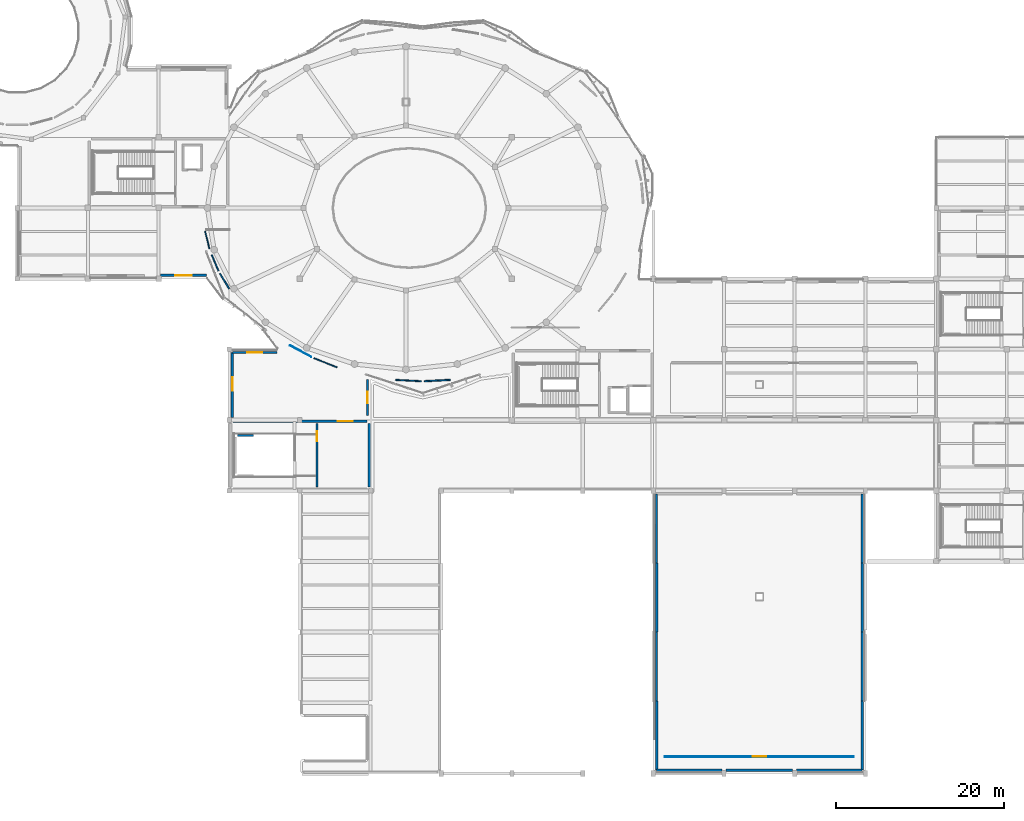
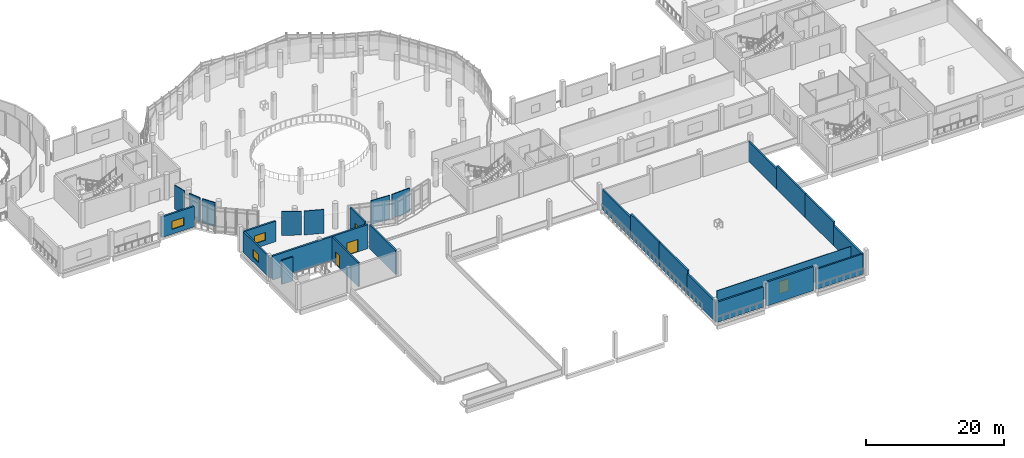
# One storey, part 27 of 46: 27 walls, 4 windows, 3 doors, 7 openings.
"""IFC4 building model written with IfcOpenShell, lengths in metres."""

from ifc_helpers import new_model, si_unit, derived_unit, direction, frame, frame_2d, origin, place, context, subcontext, project, spatial, rectangle, extrude, material, layer, layer_set, type_object, element, fill, save


model = new_model("IFC4")

# Units and contexts
model_context = context("Model", 3, precision=1e-05, world=origin(), true_north=direction((0.0, 1.0)))
body_context = subcontext(model_context, "Body", "Model", "MODEL_VIEW")
ifc_project = project(units=[si_unit("LENGTHUNIT", "METRE"), si_unit("AREAUNIT", "SQUARE_METRE"), si_unit("VOLUMEUNIT", "CUBIC_METRE"), si_unit("PLANEANGLEUNIT", "RADIAN"), si_unit("MASSUNIT", "GRAM", prefix="KILO"), derived_unit("THERMALTRANSMITTANCEUNIT", [(si_unit("POWERUNIT", "WATT"), 1), (si_unit("LENGTHUNIT", "METRE"), -2), (si_unit("THERMODYNAMICTEMPERATUREUNIT", "KELVIN"), -1)])], contexts=[model_context])

# Site, building, storey
site_placement = place(None, origin())
site = spatial("IfcSite", under=ifc_project, at=site_placement, CompositionType="ELEMENT")
building_placement = place(site_placement, origin())
building = spatial("IfcBuilding", under=site, at=building_placement, Name="Elbkamm Science Centre", CompositionType="ELEMENT")
storey_placement = place(building_placement, frame((0.0, 0.0, 9.89990234375)))
storey = spatial("IfcBuildingStorey", under=building, at=storey_placement, Name="L02", CompositionType="ELEMENT", Elevation=9.89990234375)

# Wall
ifc_material_1 = material(Name="Reinforced concrete C40/50", Category="concrete")
ifc_layer_1 = layer(ifc_material_1, 0.25)
ifc_layer_set_1 = layer_set([ifc_layer_1], Name="Reinforced concrete C40/50")
wall_type_1 = type_object("IfcWallType", Name="WL-CORE-250", PredefinedType="SHEAR", material=ifc_layer_set_1)
wall_1_placement = place(storey_placement, frame((42.989990234375, 40.179931640625, 0.0), z_axis=(0.0, 0.0, 1.0), x_axis=(1.0, 0.0, 0.0)))
element("IfcWall", 1, at=wall_1_placement, inside=storey, type_object=wall_type_1, Name="L02 ST-C5 Shaft Bearing Wall N", PredefinedType="SHEAR", context=body_context, shape_type="SweptSolid", body=[
    extrude(rectangle(XDim=1.889892578125, YDim=0.25, at=frame_2d((0.94482421875, 0.0))), origin(), (0.0, 0.0, 1.0), 4.22998046875),
])

# Wall, opening, door
wall_2_placement = place(storey_placement, frame((52.419921875, 34.02001953125, 0.0), z_axis=(0.0, 0.0, 1.0), x_axis=(0.0, 1.0, 0.0)))
wall_2 = element("IfcWall", 2, at=wall_2_placement, inside=storey, type_object=wall_type_1, Name="L02 C5 Stairwell Compartment Wall", PredefinedType="SHEAR", context=body_context, shape_type="SweptSolid", body=[
    extrude(rectangle(XDim=7.56005859375, YDim=0.25, at=frame_2d((3.780029296875, 0.0))), origin(), (0.0, 0.0, 1.0), 4.22998046875),
])
opening_1_placement = place(wall_2_placement, frame((5.4599609375, 0.0, 0.0)))
opening_1 = element("IfcOpeningElement", 3, at=opening_1_placement, cuts=wall_2, Name="Opening DC-02", PredefinedType="OPENING", context=body_context, shape_type="SweptSolid", body=[
    extrude(rectangle(XDim=1.199951171875, YDim=2.199951171875, at=frame_2d((0.60009765625, 1.10009765625))), frame((0.0, 0.136962890625, 0.0), z_axis=(0.0, -1.0, 0.0), x_axis=(1.0, 0.0, 0.0)), (0.0, 0.0, 1.0), 0.27392578125),
])
ifc_material_2 = material(Name="Fire-rated steel acoustic door", Category="steel")
ifc_layer_2 = layer(ifc_material_2, 0.050048828125)
ifc_layer_set_2 = layer_set([ifc_layer_2], Name="Fire-rated steel acoustic door")
door_type_1 = type_object("IfcDoorType", Name="DR-CORE-1200x2200", OperationType="NOTDEFINED", PredefinedType="DOOR", material=ifc_layer_set_2)
door_1_placement = place(opening_1_placement, origin())
door_1 = element("IfcDoor", 4, at=door_1_placement, inside=storey, type_object=door_type_1, Name="L02 ST-C5 Stairwell Fire Door", OperationType="SINGLE_SWING_RIGHT", OverallHeight=2.199951171875, OverallWidth=1.199951171875, PredefinedType="DOOR", context=body_context, shape_type="SweptSolid", body=[
    extrude(rectangle(XDim=1.199951171875, YDim=2.199951171875, at=frame_2d((0.60009765625, 1.10009765625))), frame((0.0, 0.02490234375, 0.0), z_axis=(0.0, -1.0, 0.0), x_axis=(1.0, 0.0, 0.0)), (0.0, 0.0, 1.0), 0.050048828125),
])
fill(opening_1, door_1)

ifc_layer_3 = layer(ifc_material_1, 0.300048828125)
ifc_layer_set_3 = layer_set([ifc_layer_3], Name="Reinforced concrete C40/50")
wall_type_2 = type_object("IfcWallType", Name="WL-CORE-300", PredefinedType="SHEAR", material=ifc_layer_set_3)
wall_3_placement = place(storey_placement, frame((42.419921875, 41.85009765625, 0.0), z_axis=(0.0, 0.0, 1.0), x_axis=(1.0, 0.0, 0.0)))
wall_3 = element("IfcWall", 5, at=wall_3_placement, inside=storey, type_object=wall_type_2, Name="L02 Core C5 Southwest Plinth Assembly Egress Core Shear Wall N", PredefinedType="SHEAR", context=body_context, shape_type="SweptSolid", body=[
    extrude(rectangle(XDim=15.9599609375, YDim=0.300048828125, at=frame_2d((7.97998046875, 0.0))), origin(), (0.0, 0.0, 1.0), 4.22998046875),
])
opening_2_placement = place(wall_3_placement, frame((12.4599609375, 0.0, 0.0)))
opening_2 = element("IfcOpeningElement", 6, at=opening_2_placement, cuts=wall_3, Name="Opening DC-01", PredefinedType="OPENING", context=body_context, shape_type="SweptSolid", body=[
    extrude(rectangle(XDim=1.800048828125, YDim=2.199951171875, at=frame_2d((0.89990234375, 1.10009765625))), frame((0.0, 0.162109375, 0.0), z_axis=(0.0, -1.0, 0.0), x_axis=(1.0, 0.0, 0.0)), (0.0, 0.0, 1.0), 0.323974609375),
])
ifc_layer_4 = layer(ifc_material_2, 0.050048828125)
ifc_layer_set_4 = layer_set([ifc_layer_4], Name="Fire-rated steel acoustic door")
door_type_2 = type_object("IfcDoorType", Name="DR-CORE-1800x2200", OperationType="DOUBLE_DOOR_SINGLE_SWING", PredefinedType="DOOR", material=ifc_layer_set_4)
door_2_placement = place(opening_2_placement, origin())
door_2 = element("IfcDoor", 7, at=door_2_placement, inside=storey, type_object=door_type_2, Name="L02 C5 Core Lobby Fire Door", OperationType="DOUBLE_DOOR_SINGLE_SWING", OverallHeight=2.199951171875, OverallWidth=1.800048828125, PredefinedType="DOOR", context=body_context, shape_type="SweptSolid", body=[
    extrude(rectangle(XDim=1.800048828125, YDim=2.199951171875, at=frame_2d((0.89990234375, 1.10009765625))), frame((0.0, 0.02490234375, 0.0), z_axis=(0.0, -1.0, 0.0), x_axis=(1.0, 0.0, 0.0)), (0.0, 0.0, 1.0), 0.050048828125),
])
fill(opening_2, door_2)

# Wall
wall_4_placement = place(storey_placement, frame((58.64990234375, 34.02001953125, 0.0), z_axis=(0.0, 0.0, 1.0), x_axis=(0.0, 1.0, 0.0)))
element("IfcWall", 8, at=wall_4_placement, inside=storey, type_object=wall_type_2, Name="L02 Core C5 Southwest Plinth Assembly Egress Core Shear Wall E", PredefinedType="SHEAR", context=body_context, shape_type="SweptSolid", body=[
    extrude(rectangle(XDim=7.56005859375, YDim=0.300048828125, at=frame_2d((3.780029296875, 0.0))), origin(), (0.0, 0.0, 1.0), 4.22998046875),
])

# Wall, opening, window
ifc_material_3 = material(Name="White precast concrete C40/50", Category="concrete")
ifc_layer_5 = layer(ifc_material_3, 0.27001953125)
ifc_layer_set_5 = layer_set([ifc_layer_5], Name="White precast concrete C40/50")
wall_type_3 = type_object("IfcWallType", Name="WL-EXT-270", PredefinedType="SOLIDWALL", material=ifc_layer_set_5)
wall_5_placement = place(storey_placement, frame((58.419921875, 46.7880859375, 0.0), z_axis=(0.0, 0.0, 1.0), x_axis=(0.0, -1.0, 0.0)))
wall_5 = element("IfcWall", 9, at=wall_5_placement, inside=storey, type_object=wall_type_3, Name="L02 Exterior Wall 0247", PredefinedType="SOLIDWALL", context=body_context, shape_type="SweptSolid", body=[
    extrude(rectangle(XDim=4.238037109375, YDim=0.27001953125, at=frame_2d((2.119140625, 0.0))), origin(), (0.0, 0.0, 1.0), 4.22998046875),
])
opening_3_placement = place(wall_5_placement, frame((1.4189453125, 0.0, 0.85009765625)))
opening_3 = element("IfcOpeningElement", 10, at=opening_3_placement, cuts=wall_5, Name="Opening W-02", PredefinedType="OPENING", context=body_context, shape_type="SweptSolid", body=[
    extrude(rectangle(XDim=1.39990234375, YDim=1.39990234375, at=frame_2d((0.699951171875, 0.699951171875))), frame((0.0, 0.14697265625, 0.0), z_axis=(0.0, -1.0, 0.0), x_axis=(1.0, 0.0, 0.0)), (0.0, 0.0, 1.0), 0.2939453125),
])
ifc_material_4 = material(Name="Thermally broken aluminium and triple solar glass", Category="aluminium")
ifc_layer_6 = layer(ifc_material_4, 0.06005859375)
ifc_layer_set_6 = layer_set([ifc_layer_6], Name="Thermally broken aluminium and triple solar glass")
window_type_1 = type_object("IfcWindowType", Name="WIN-1400x1400", PartitioningType="SINGLE_PANEL", PredefinedType="WINDOW", material=ifc_layer_set_6)
window_1_placement = place(opening_3_placement, origin())
window_1 = element("IfcWindow", 11, at=window_1_placement, inside=storey, type_object=window_type_1, Name="L02 Facade Window 0061", OverallHeight=1.39990234375, OverallWidth=1.39990234375, PartitioningType="SINGLE_PANEL", PredefinedType="WINDOW", context=body_context, shape_type="SweptSolid", body=[
    extrude(rectangle(XDim=1.39990234375, YDim=1.39990234375, at=frame_2d((0.699951171875, 0.699951171875))), frame((0.0, 0.030029296875, 0.0), z_axis=(0.0, -1.0, 0.0), x_axis=(1.0, 0.0, 0.0)), (0.0, 0.0, 1.0), 0.06005859375),
])
fill(opening_3, window_1)

wall_6_placement = place(storey_placement, frame((42.3798828125, 50.02001953125, 0.0), z_axis=(0.0, 0.0, 1.0), x_axis=(1.0, 0.0, 0.0)))
wall_6 = element("IfcWall", 12, at=wall_6_placement, inside=storey, type_object=wall_type_3, Name="L02 Exterior Wall 0249", PredefinedType="SOLIDWALL", context=body_context, shape_type="SweptSolid", body=[
    extrude(rectangle(XDim=5.3076171875, YDim=0.27001953125, at=frame_2d((2.65380859375, 0.0))), origin(), (0.0, 0.0, 1.0), 3.630126953125),
])
opening_4_placement = place(wall_6_placement, frame((1.753662109375, 0.0, 0.85009765625)))
opening_4 = element("IfcOpeningElement", 13, at=opening_4_placement, cuts=wall_6, Name="Opening W-04", PredefinedType="OPENING", context=body_context, shape_type="SweptSolid", body=[
    extrude(rectangle(XDim=1.800048828125, YDim=1.39990234375, at=frame_2d((0.89990234375, 0.699951171875))), frame((0.0, 0.14697265625, 0.0), z_axis=(0.0, -1.0, 0.0), x_axis=(1.0, 0.0, 0.0)), (0.0, 0.0, 1.0), 0.2939453125),
])
ifc_layer_7 = layer(ifc_material_4, 0.06005859375)
ifc_layer_set_7 = layer_set([ifc_layer_7], Name="Thermally broken aluminium and triple solar glass")
window_type_2 = type_object("IfcWindowType", Name="WIN-1800x1400", PartitioningType="DOUBLE_PANEL_VERTICAL", PredefinedType="WINDOW", material=ifc_layer_set_7)
window_2_placement = place(opening_4_placement, origin())
window_2 = element("IfcWindow", 14, at=window_2_placement, inside=storey, type_object=window_type_2, Name="L02 Facade Window 0063", OverallHeight=1.39990234375, OverallWidth=1.800048828125, PartitioningType="SINGLE_PANEL", PredefinedType="WINDOW", context=body_context, shape_type="SweptSolid", body=[
    extrude(rectangle(XDim=1.800048828125, YDim=1.39990234375, at=frame_2d((0.89990234375, 0.699951171875))), frame((0.0, 0.030029296875, 0.0), z_axis=(0.0, -1.0, 0.0), x_axis=(1.0, 0.0, 0.0)), (0.0, 0.0, 1.0), 0.06005859375),
])
fill(opening_4, window_2)

# Walls
for number, where, z_axis, x_axis, name in (
    (15, (117.219970703125, 0.3798828125, 0.0), (0.0, 0.0, 1.0), (-1.0, 0.0, 0.0), "L02 Exterior Wall 0259"),
    (16, (100.560791015625, 0.3798828125, 0.0), (0.0, 0.0, 1.0), (-1.0, 0.0, 0.0), "L02 Exterior Wall 0261"),
):
    element("IfcWall", number, at=place(storey_placement, frame(where, z_axis=z_axis, x_axis=x_axis)), inside=storey, type_object=wall_type_3, Name=name, PredefinedType="SOLIDWALL", context=body_context, shape_type="SweptSolid", body=[
        extrude(rectangle(XDim=7.78076171875, YDim=0.27001953125, at=frame_2d((3.890380859375, 0.0))), origin(), (0.0, 0.0, 1.0), 3.570068359375),
    ])
wall_7_placement = place(storey_placement, frame((92.780029296875, 8.590087890625, 0.0), z_axis=(0.0, 0.0, 1.0), x_axis=(0.0, 1.0, 0.0)))
element("IfcWall", 17, at=wall_7_placement, inside=storey, type_object=wall_type_3, Name="L02 Exterior Wall 0263", PredefinedType="SOLIDWALL", context=body_context, shape_type="SweptSolid", body=[
    extrude(rectangle(XDim=8.2099609375, YDim=0.27001953125, at=frame_2d((4.10498046875, 0.0))), origin(), (0.0, 0.0, 1.0), 4.22021484375),
])
for number, where, z_axis, x_axis, name in (
    (18, (92.780029296875, 25.010009765625, 0.0), (0.0, 0.0, 1.0), (0.0, 1.0, 0.0), "L02 Exterior Wall 0265"),
    (19, (117.219970703125, 33.219970703125, 0.0), (0.0, 0.0, 1.0), (0.0, -1.0, 0.0), "L02 Exterior Wall 0269"),
):
    element("IfcWall", number, at=place(storey_placement, frame(where, z_axis=z_axis, x_axis=x_axis)), inside=storey, type_object=wall_type_3, Name=name, PredefinedType="SOLIDWALL", context=body_context, shape_type="SweptSolid", body=[
        extrude(rectangle(XDim=8.2099609375, YDim=0.27001953125, at=frame_2d((4.10498046875, 0.0))), origin(), (0.0, 0.0, 1.0), 3.570068359375),
    ])
wall_8_placement = place(storey_placement, frame((117.219970703125, 16.800048828125, 0.0), z_axis=(0.0, 0.0, 1.0), x_axis=(0.0, -1.0, 0.0)))
element("IfcWall", 20, at=wall_8_placement, inside=storey, type_object=wall_type_3, Name="L02 Exterior Wall 0271", PredefinedType="SOLIDWALL", context=body_context, shape_type="SweptSolid", body=[
    extrude(rectangle(XDim=8.2099609375, YDim=0.27001953125, at=frame_2d((4.10498046875, 0.0))), origin(), (0.0, 0.0, 1.0), 4.22021484375),
])

# Wall, opening, window
ifc_layer_8 = layer(ifc_material_3, 0.2900390625)
ifc_layer_set_8 = layer_set([ifc_layer_8], Name="White precast concrete C40/50")
wall_type_4 = type_object("IfcWallType", Name="WL-EXT-290", PredefinedType="SOLIDWALL", material=ifc_layer_set_8)
wall_9_placement = place(storey_placement, frame((42.3798828125, 42.277099609375, 0.0), z_axis=(0.0, 0.0, 1.0), x_axis=(0.0, 1.0, 0.0)))
wall_9 = element("IfcWall", 21, at=wall_9_placement, inside=storey, type_object=wall_type_4, Name="L02 Exterior Wall 0248", PredefinedType="SOLIDWALL", context=body_context, shape_type="SweptSolid", body=[
    extrude(rectangle(XDim=7.742919921875, YDim=0.2900390625, at=frame_2d((3.87158203125, 0.0))), origin(), (0.0, 0.0, 1.0), 3.630126953125),
])
opening_5_placement = place(wall_9_placement, frame((3.2080078125, 0.0, 0.85009765625)))
opening_5 = element("IfcOpeningElement", 22, at=opening_5_placement, cuts=wall_9, Name="Opening W-03", PredefinedType="OPENING", context=body_context, shape_type="SweptSolid", body=[
    extrude(rectangle(XDim=1.60009765625, YDim=1.39990234375, at=frame_2d((0.800048828125, 0.699951171875))), frame((0.0, 0.156982421875, 0.0), z_axis=(0.0, -1.0, 0.0), x_axis=(1.0, 0.0, 0.0)), (0.0, 0.0, 1.0), 0.31396484375),
])
ifc_layer_9 = layer(ifc_material_4, 0.06005859375)
ifc_layer_set_9 = layer_set([ifc_layer_9], Name="Thermally broken aluminium and triple solar glass")
window_type_3 = type_object("IfcWindowType", Name="WIN-1600x1400", PartitioningType="SINGLE_PANEL", PredefinedType="WINDOW", material=ifc_layer_set_9)
window_3_placement = place(opening_5_placement, origin())
window_3 = element("IfcWindow", 23, at=window_3_placement, inside=storey, type_object=window_type_3, Name="L02 Facade Window 0062", OverallHeight=1.39990234375, OverallWidth=1.60009765625, PartitioningType="SINGLE_PANEL", PredefinedType="WINDOW", context=body_context, shape_type="SweptSolid", body=[
    extrude(rectangle(XDim=1.60009765625, YDim=1.39990234375, at=frame_2d((0.800048828125, 0.699951171875))), frame((0.0, 0.030029296875, 0.0), z_axis=(0.0, -1.0, 0.0), x_axis=(1.0, 0.0, 0.0)), (0.0, 0.0, 1.0), 0.06005859375),
])
fill(opening_5, window_3)

wall_10_placement = place(storey_placement, frame((39.306884765625, 59.179931640625, 0.0), z_axis=(0.0, 0.0, 1.0), x_axis=(-1.0, 0.0, 0.0)))
wall_10 = element("IfcWall", 24, at=wall_10_placement, inside=storey, type_object=wall_type_4, Name="L02 Exterior Wall 0250", PredefinedType="SOLIDWALL", context=body_context, shape_type="SweptSolid", body=[
    extrude(rectangle(XDim=5.4677734375, YDim=0.2900390625, at=frame_2d((2.73388671875, 0.0))), origin(), (0.0, 0.0, 1.0), 3.6201171875),
])
opening_6_placement = place(wall_10_placement, frame((1.73388671875, 0.0, 0.85009765625)))
opening_6 = element("IfcOpeningElement", 25, at=opening_6_placement, cuts=wall_10, Name="Opening W-05", PredefinedType="OPENING", context=body_context, shape_type="SweptSolid", body=[
    extrude(rectangle(XDim=2.0, YDim=1.39990234375, at=frame_2d((1.0, 0.699951171875))), frame((0.0, 0.156982421875, 0.0), z_axis=(0.0, -1.0, 0.0), x_axis=(1.0, 0.0, 0.0)), (0.0, 0.0, 1.0), 0.31396484375),
])
ifc_layer_10 = layer(ifc_material_4, 0.06005859375)
ifc_layer_set_10 = layer_set([ifc_layer_10], Name="Thermally broken aluminium and triple solar glass")
window_type_4 = type_object("IfcWindowType", Name="WIN-2000x1400", PartitioningType="DOUBLE_PANEL_VERTICAL", PredefinedType="WINDOW", material=ifc_layer_set_10)
window_4_placement = place(opening_6_placement, origin())
window_4 = element("IfcWindow", 26, at=window_4_placement, inside=storey, type_object=window_type_4, Name="L02 Facade Window 0064", OverallHeight=1.39990234375, OverallWidth=2.0, PartitioningType="SINGLE_PANEL", PredefinedType="WINDOW", context=body_context, shape_type="SweptSolid", body=[
    extrude(rectangle(XDim=2.0, YDim=1.39990234375, at=frame_2d((1.0, 0.699951171875))), frame((0.0, 0.030029296875, 0.0), z_axis=(0.0, -1.0, 0.0), x_axis=(1.0, 0.0, 0.0)), (0.0, 0.0, 1.0), 0.06005859375),
])
fill(opening_6, window_4)

# Walls
wall_11_placement = place(storey_placement, frame((108.9609375, 0.3798828125, 0.0), z_axis=(0.0, 0.0, 1.0), x_axis=(-1.0, 0.0, 0.0)))
element("IfcWall", 27, at=wall_11_placement, inside=storey, type_object=wall_type_4, Name="L02 Exterior Wall 0260", PredefinedType="SOLIDWALL", context=body_context, shape_type="SweptSolid", body=[
    extrude(rectangle(XDim=7.921875, YDim=0.2900390625, at=frame_2d((3.9609375, 0.0))), origin(), (0.0, 0.0, 1.0), 4.22021484375),
])
wall_12_placement = place(storey_placement, frame((92.780029296875, 0.3798828125, 0.0), z_axis=(0.0, 0.0, 1.0), x_axis=(0.0, 1.0, 0.0)))
element("IfcWall", 28, at=wall_12_placement, inside=storey, type_object=wall_type_4, Name="L02 Exterior Wall 0262", PredefinedType="SOLIDWALL", context=body_context, shape_type="SweptSolid", body=[
    extrude(rectangle(XDim=8.210205078125, YDim=0.2900390625, at=frame_2d((4.10498046875, 0.0))), origin(), (0.0, 0.0, 1.0), 3.570068359375),
])
for number, where, z_axis, x_axis, name in (
    (29, (92.780029296875, 16.800048828125, 0.0), (0.0, 0.0, 1.0), (0.0, 1.0, 0.0), "L02 Exterior Wall 0264"),
    (30, (117.219970703125, 25.010009765625, 0.0), (0.0, 0.0, 1.0), (0.0, -1.0, 0.0), "L02 Exterior Wall 0270"),
):
    element("IfcWall", number, at=place(storey_placement, frame(where, z_axis=z_axis, x_axis=x_axis)), inside=storey, type_object=wall_type_4, Name=name, PredefinedType="SOLIDWALL", context=body_context, shape_type="SweptSolid", body=[
        extrude(rectangle(XDim=8.2099609375, YDim=0.2900390625, at=frame_2d((4.10498046875, 0.0))), origin(), (0.0, 0.0, 1.0), 4.22021484375),
    ])
wall_13_placement = place(storey_placement, frame((117.219970703125, 8.590087890625, 0.0), z_axis=(0.0, 0.0, 1.0), x_axis=(0.0, -1.0, 0.0)))
element("IfcWall", 31, at=wall_13_placement, inside=storey, type_object=wall_type_4, Name="L02 Exterior Wall 0272", PredefinedType="SOLIDWALL", context=body_context, shape_type="SweptSolid", body=[
    extrude(rectangle(XDim=8.210205078125, YDim=0.2900390625, at=frame_2d((4.10498046875, 0.0))), origin(), (0.0, 0.0, 1.0), 3.570068359375),
])
ifc_material_5 = material(Name="Drywall service partition", Category="gypsum")
ifc_layer_11 = layer(ifc_material_5, 0.10009765625)
ifc_layer_set_11 = layer_set([ifc_layer_11], Name="Drywall service partition")
wall_type_5 = type_object("IfcWallType", Name="WL-PART-100", PredefinedType="PARTITIONING", material=ifc_layer_set_11)
wall_14_placement = place(storey_placement, frame((51.7412109375, 49.49853515625, 0.0), z_axis=(0.0, 0.0, 1.0), x_axis=(-0.88154693432, 0.472096391207, 0.0)))
element("IfcWall", 32, at=wall_14_placement, inside=storey, type_object=wall_type_5, Name="L02 Earth and Climate Exhibition Hall Partition 0167", PredefinedType="PARTITIONING", context=body_context, shape_type="SweptSolid", body=[
    extrude(rectangle(XDim=2.872314453125, YDim=0.10009765625, at=frame_2d((1.43603515625, 0.0))), origin(), (0.0, 0.0, 1.0), 4.22021484375),
])

# Wall, opening, door
wall_15_placement = place(storey_placement, frame((116.219970703125, 2.0, 0.0), z_axis=(0.0, 0.0, 1.0), x_axis=(-1.0, 0.0, 0.0)))
wall_15 = element("IfcWall", 33, at=wall_15_placement, inside=storey, type_object=wall_type_5, Name="L02 Theatre Upper Tier and Projection Booth Partition 0179", PredefinedType="PARTITIONING", context=body_context, shape_type="SweptSolid", body=[
    extrude(rectangle(XDim=22.43994140625, YDim=0.10009765625, at=frame_2d((11.219970703125, 0.0))), origin(), (0.0, 0.0, 1.0), 4.22021484375),
])
opening_7_placement = place(wall_15_placement, frame((10.419921875, 0.0, 0.0)))
opening_7 = element("IfcOpeningElement", 34, at=opening_7_placement, cuts=wall_15, Name="Opening DI-02", PredefinedType="OPENING", context=body_context, shape_type="SweptSolid", body=[
    extrude(rectangle(XDim=1.60009765625, YDim=2.199951171875, at=frame_2d((0.800048828125, 1.10009765625))), frame((0.0, 0.06201171875, 0.0), z_axis=(0.0, -1.0, 0.0), x_axis=(1.0, 0.0, 0.0)), (0.0, 0.0, 1.0), 0.1240234375),
])
ifc_material_6 = material(Name="Acoustic oak veneer and safety glass door", Category="glass")
ifc_layer_12 = layer(ifc_material_6, 0.050048828125)
ifc_layer_set_12 = layer_set([ifc_layer_12], Name="Acoustic oak veneer and safety glass door")
door_type_3 = type_object("IfcDoorType", Name="DR-INT-1600x2200", OperationType="DOUBLE_DOOR_SINGLE_SWING", PredefinedType="DOOR", material=ifc_layer_set_12)
door_3_placement = place(opening_7_placement, origin())
door_3 = element("IfcDoor", 35, at=door_3_placement, inside=storey, type_object=door_type_3, Name="L02 Theatre Upper Tier and Projection Booth Door", OperationType="DOUBLE_DOOR_SINGLE_SWING", OverallHeight=2.199951171875, OverallWidth=1.60009765625, PredefinedType="DOOR", context=body_context, shape_type="SweptSolid", body=[
    extrude(rectangle(XDim=1.60009765625, YDim=2.199951171875, at=frame_2d((0.800048828125, 1.10009765625))), frame((0.0, 0.02490234375, 0.0), z_axis=(0.0, -1.0, 0.0), x_axis=(1.0, 0.0, 0.0)), (0.0, 0.0, 1.0), 0.050048828125),
])
fill(opening_7, door_3)

# Walls
ifc_material_7 = material(Name="Lightweight metal-stud gypsum partition", Category="gypsum")
ifc_layer_13 = layer(ifc_material_7, 0.125)
ifc_layer_set_13 = layer_set([ifc_layer_13], Name="Lightweight metal-stud gypsum partition")
wall_type_6 = type_object("IfcWallType", Name="WL-PART-125", PredefinedType="PARTITIONING", material=ifc_layer_set_13)
wall_16_placement = place(storey_placement, frame((54.806396484375, 48.2646484375, 0.0), z_axis=(0.0, 0.0, 1.0), x_axis=(-0.929972583651, 0.367628880336, 0.0)))
element("IfcWall", 36, at=wall_16_placement, inside=storey, type_object=wall_type_6, Name="L02 Earth and Climate Exhibition Hall Partition 0166", PredefinedType="PARTITIONING", context=body_context, shape_type="SweptSolid", body=[
    extrude(rectangle(XDim=2.9453125, YDim=0.125, at=frame_2d((1.47265625, 0.0))), origin(), (0.0, 0.0, 1.0), 4.22021484375),
])
wall_17_placement = place(storey_placement, frame((39.6494140625, 62.339599609375, 0.0), z_axis=(0.0, 0.0, 1.0), x_axis=(-0.240851172606, 0.970562060177, 0.0)))
element("IfcWall", 37, at=wall_17_placement, inside=storey, type_object=wall_type_6, Name="L02 Earth and Climate Exhibition Hall Partition 0170", PredefinedType="PARTITIONING", context=body_context, shape_type="SweptSolid", body=[
    extrude(rectangle(XDim=2.14892578125, YDim=0.125, at=frame_2d((1.074462890625, 0.0))), origin(), (0.0, 0.0, 1.0), 4.22021484375),
])
ifc_material_8 = material(Name="Acoustic metal-stud gypsum partition", Category="gypsum")
ifc_layer_14 = layer(ifc_material_8, 0.139892578125)
ifc_layer_set_14 = layer_set([ifc_layer_14], Name="Acoustic metal-stud gypsum partition")
wall_type_7 = type_object("IfcWallType", Name="WL-PART-140", PredefinedType="PARTITIONING", material=ifc_layer_set_14)
wall_18_placement = place(storey_placement, frame((64.8203125, 46.609375, 0.0), z_axis=(0.0, 0.0, 1.0), x_axis=(-0.998620908646, 0.052500293482, 0.0)))
element("IfcWall", 38, at=wall_18_placement, inside=storey, type_object=wall_type_7, Name="L02 Earth and Climate Exhibition Hall Partition 0165", PredefinedType="PARTITIONING", context=body_context, shape_type="SweptSolid", body=[
    extrude(rectangle(XDim=3.064453125, YDim=0.139892578125, at=frame_2d((1.5322265625, 0.0))), origin(), (0.0, 0.0, 1.0), 4.22021484375),
])
wall_19_placement = place(storey_placement, frame((40.72412109375, 59.729248046875, 0.0), z_axis=(0.0, 0.0, 1.0), x_axis=(-0.389924288724, 0.920846919451, 0.0)))
element("IfcWall", 39, at=wall_19_placement, inside=storey, type_object=wall_type_7, Name="L02 Earth and Climate Exhibition Hall Partition 0169", PredefinedType="PARTITIONING", context=body_context, shape_type="SweptSolid", body=[
    extrude(rectangle(XDim=2.044921875, YDim=0.139892578125, at=frame_2d((1.0224609375, 0.0))), origin(), (0.0, 0.0, 1.0), 4.22021484375),
])
ifc_layer_15 = layer(ifc_material_8, 0.159912109375)
ifc_layer_set_15 = layer_set([ifc_layer_15], Name="Acoustic metal-stud gypsum partition")
wall_type_8 = type_object("IfcWallType", Name="WL-PART-160", PredefinedType="PARTITIONING", material=ifc_layer_set_15)
wall_20_placement = place(storey_placement, frame((68.239990234375, 46.770263671875, 0.0), z_axis=(0.0, 0.0, 1.0), x_axis=(-0.998620908646, -0.052500293482, 0.0)))
element("IfcWall", 40, at=wall_20_placement, inside=storey, type_object=wall_type_8, Name="L02 Earth and Climate Exhibition Hall Partition 0164", PredefinedType="PARTITIONING", context=body_context, shape_type="SweptSolid", body=[
    extrude(rectangle(XDim=3.064453125, YDim=0.159912109375, at=frame_2d((1.5322265625, 0.0))), origin(), (0.0, 0.0, 1.0), 4.22021484375),
])
wall_21_placement = place(storey_placement, frame((41.99560546875, 57.611083984375, 0.0), z_axis=(0.0, 0.0, 1.0), x_axis=(-0.523981357673, 0.851729732257, 0.0)))
element("IfcWall", 41, at=wall_21_placement, inside=storey, type_object=wall_type_8, Name="L02 Earth and Climate Exhibition Hall Partition 0168", PredefinedType="PARTITIONING", context=body_context, shape_type="SweptSolid", body=[
    extrude(rectangle(XDim=2.112548828125, YDim=0.159912109375, at=frame_2d((1.05615234375, 0.0))), origin(), (0.0, 0.0, 1.0), 4.22021484375),
])

save(model, "model.ifc")
